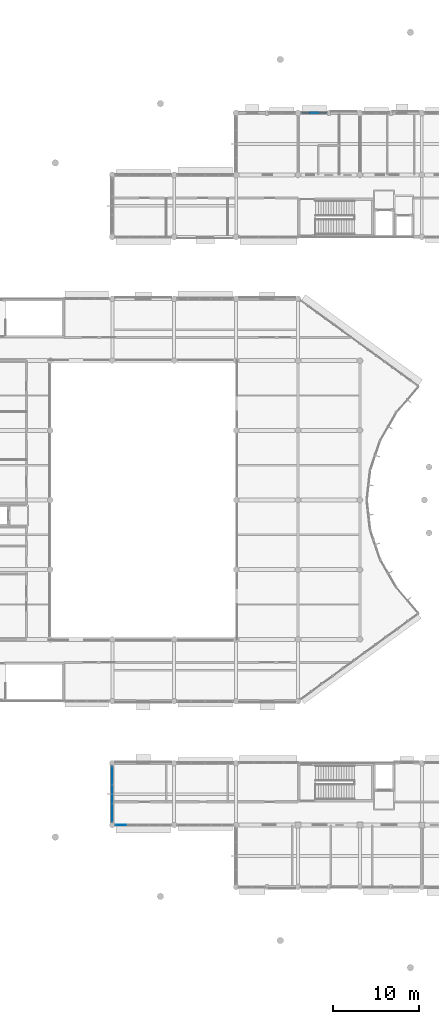
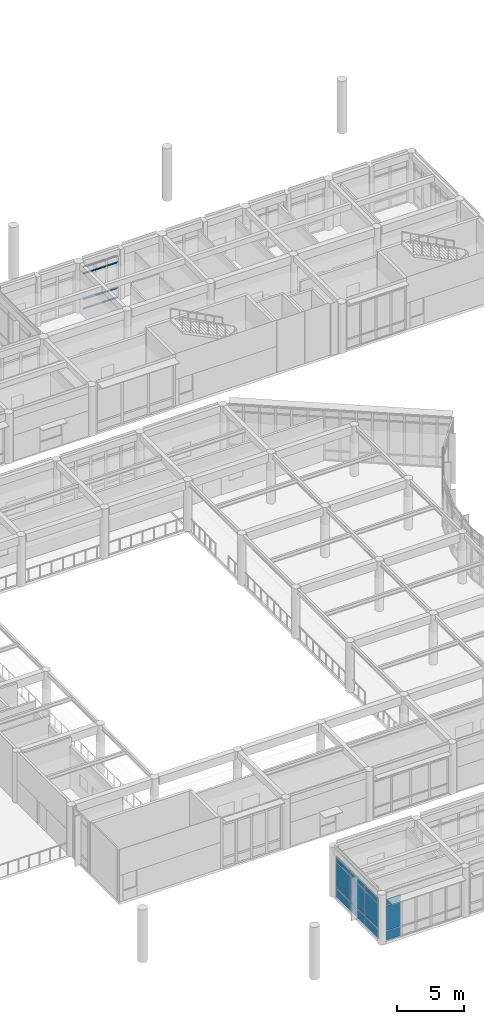
# One storey, part 33 of 92: 12 members, 12 plates, 3 elements without a shape of their own.
"""IFC4 building model written with IfcOpenShell, lengths in metres."""

from ifc_helpers import new_model, si_unit, direction, frame, origin, origin_2d, place, context, subcontext, project, spatial, rectangle, extrude, material, layer, layer_set, material_profile, profile_set, type_object, element, aggregate, save


model = new_model("IFC4")

# Units and contexts
model_context = context("Model", 3, precision=1e-05, world=origin(), true_north=direction((0.0, 1.0)))
body_context = subcontext(model_context, "Body", "Model", "MODEL_VIEW")
ifc_project = project(units=[si_unit("LENGTHUNIT", "METRE"), si_unit("AREAUNIT", "SQUARE_METRE"), si_unit("VOLUMEUNIT", "CUBIC_METRE"), si_unit("PLANEANGLEUNIT", "RADIAN"), si_unit("MASSUNIT", "GRAM", prefix="KILO")], contexts=[model_context])

# Site, building, storey
site_placement = place(None, origin())
site = spatial("IfcSite", under=ifc_project, at=site_placement, CompositionType="ELEMENT")
building_placement = place(site_placement, origin())
building = spatial("IfcBuilding", under=site, at=building_placement, Name="Namkhue Oval Health Centre", CompositionType="ELEMENT")
storey_placement = place(building_placement, frame((0.0, 0.0, 4.800048828125)))
storey = spatial("IfcBuildingStorey", under=building, at=storey_placement, Name="L01", CompositionType="ELEMENT", Elevation=4.800048828125)

# Curtain wall, members
ifc_material_1 = material(Name="Anodised aluminium EN AW-6063 T6", Category="aluminium")
ifc_layer_1 = layer(ifc_material_1, 0.159912109375)
ifc_layer_set_1 = layer_set([ifc_layer_1], Name="Anodised aluminium EN AW-6063 T6")
curtain_wall_type_1 = type_object("IfcCurtainWallType", Name="UNITISED CURTAIN WALL M1200", PredefinedType="NOTDEFINED", material=ifc_layer_set_1)
curtain_wall_1_placement = place(storey_placement, origin())
curtain_wall_1 = element("IfcCurtainWall", 1, at=curtain_wall_1_placement, inside=storey, type_object=curtain_wall_type_1, Name="Volume V2 L01 Unitised Curtain Wall 55", PredefinedType="NOTDEFINED")
ifc_material_profile = material_profile(ifc_material_1, rectangle(XDim=0.06494140625, YDim=0.1201171875, at=origin_2d()), Name="ALU 65x120")
ifc_profile_set = profile_set([ifc_material_profile], Name="Anodised aluminium EN AW-6063 T6")
member_type = type_object("IfcMemberType", Name="CURTAIN WALL TRANSOM 65X120", PredefinedType="USERDEFINED", material=ifc_profile_set)
member_1_placement = place(storey_placement, frame((60.948974609375, 104.39990234375, 0.032470703125), z_axis=(-1.0, 0.0, 0.0), x_axis=(0.0, -1.0, 0.0)))
member_1 = element("IfcMember", 2, at=member_1_placement, type_object=member_type, Name="CW-01 transom 1.1", ObjectType="TRANSOM", PredefinedType="USERDEFINED", context=body_context, shape_type="SweptSolid", body=[
    extrude(rectangle(XDim=0.06494140625, YDim=0.1201171875, at=origin_2d()), origin(), (0.0, 0.0, 1.0), 0.92041015625),
])
member_2_placement = place(storey_placement, frame((60.948974609375, 104.39990234375, 0.89990234375), z_axis=(-1.0, 0.0, 0.0), x_axis=(0.0, -1.0, 0.0)))
member_2 = element("IfcMember", 3, at=member_2_placement, type_object=member_type, Name="CW-01 transom 1.2", ObjectType="TRANSOM", PredefinedType="USERDEFINED", context=body_context, shape_type="SweptSolid", body=[
    extrude(rectangle(XDim=0.06494140625, YDim=0.1201171875, at=origin_2d()), origin(), (0.0, 0.0, 1.0), 0.92041015625),
])
member_3_placement = place(storey_placement, frame((60.948974609375, 104.39990234375, 3.2548828125), z_axis=(-1.0, 0.0, 0.0), x_axis=(0.0, -1.0, 0.0)))
member_3 = element("IfcMember", 4, at=member_3_placement, type_object=member_type, Name="CW-01 transom 1.3", ObjectType="TRANSOM", PredefinedType="USERDEFINED", context=body_context, shape_type="SweptSolid", body=[
    extrude(rectangle(XDim=0.06494140625, YDim=0.1201171875, at=origin_2d()), origin(), (0.0, 0.0, 1.0), 0.92041015625),
])
member_4_placement = place(storey_placement, frame((60.948974609375, 104.39990234375, 3.87255859375), z_axis=(-1.0, 0.0, 0.0), x_axis=(0.0, -1.0, 0.0)))
member_4 = element("IfcMember", 5, at=member_4_placement, type_object=member_type, Name="CW-01 transom 1.4", ObjectType="TRANSOM", PredefinedType="USERDEFINED", context=body_context, shape_type="SweptSolid", body=[
    extrude(rectangle(XDim=0.06494140625, YDim=0.1201171875, at=origin_2d()), origin(), (0.0, 0.0, 1.0), 0.92041015625),
])
member_5_placement = place(storey_placement, frame((59.96337890625, 104.39990234375, 0.032470703125), z_axis=(-1.0, 0.0, 0.0), x_axis=(0.0, -1.0, 0.0)))
member_5 = element("IfcMember", 6, at=member_5_placement, type_object=member_type, Name="CW-01 transom 2.1", ObjectType="TRANSOM", PredefinedType="USERDEFINED", context=body_context, shape_type="SweptSolid", body=[
    extrude(rectangle(XDim=0.06494140625, YDim=0.1201171875, at=origin_2d()), origin(), (0.0, 0.0, 1.0), 0.952880859375),
])
member_6_placement = place(storey_placement, frame((59.96337890625, 104.39990234375, 0.89990234375), z_axis=(-1.0, 0.0, 0.0), x_axis=(0.0, -1.0, 0.0)))
member_6 = element("IfcMember", 7, at=member_6_placement, type_object=member_type, Name="CW-01 transom 2.2", ObjectType="TRANSOM", PredefinedType="USERDEFINED", context=body_context, shape_type="SweptSolid", body=[
    extrude(rectangle(XDim=0.06494140625, YDim=0.1201171875, at=origin_2d()), origin(), (0.0, 0.0, 1.0), 0.952880859375),
])
member_7_placement = place(storey_placement, frame((59.96337890625, 104.39990234375, 3.2548828125), z_axis=(-1.0, 0.0, 0.0), x_axis=(0.0, -1.0, 0.0)))
member_7 = element("IfcMember", 8, at=member_7_placement, type_object=member_type, Name="CW-01 transom 2.3", ObjectType="TRANSOM", PredefinedType="USERDEFINED", context=body_context, shape_type="SweptSolid", body=[
    extrude(rectangle(XDim=0.06494140625, YDim=0.1201171875, at=origin_2d()), origin(), (0.0, 0.0, 1.0), 0.952880859375),
])
member_8_placement = place(storey_placement, frame((59.96337890625, 104.39990234375, 3.87255859375), z_axis=(-1.0, 0.0, 0.0), x_axis=(0.0, -1.0, 0.0)))
member_8 = element("IfcMember", 9, at=member_8_placement, type_object=member_type, Name="CW-01 transom 2.4", ObjectType="TRANSOM", PredefinedType="USERDEFINED", context=body_context, shape_type="SweptSolid", body=[
    extrude(rectangle(XDim=0.06494140625, YDim=0.1201171875, at=origin_2d()), origin(), (0.0, 0.0, 1.0), 0.952880859375),
])
member_9_placement = place(storey_placement, frame((58.945556640625, 104.39990234375, 0.032470703125), z_axis=(-1.0, 0.0, 0.0), x_axis=(0.0, -1.0, 0.0)))
member_9 = element("IfcMember", 10, at=member_9_placement, type_object=member_type, Name="CW-01 transom 3.1", ObjectType="TRANSOM", PredefinedType="USERDEFINED", context=body_context, shape_type="SweptSolid", body=[
    extrude(rectangle(XDim=0.06494140625, YDim=0.1201171875, at=origin_2d()), origin(), (0.0, 0.0, 1.0), 0.920654296875),
])
member_10_placement = place(storey_placement, frame((58.945556640625, 104.39990234375, 0.89990234375), z_axis=(-1.0, 0.0, 0.0), x_axis=(0.0, -1.0, 0.0)))
member_10 = element("IfcMember", 11, at=member_10_placement, type_object=member_type, Name="CW-01 transom 3.2", ObjectType="TRANSOM", PredefinedType="USERDEFINED", context=body_context, shape_type="SweptSolid", body=[
    extrude(rectangle(XDim=0.06494140625, YDim=0.1201171875, at=origin_2d()), origin(), (0.0, 0.0, 1.0), 0.920654296875),
])
member_11_placement = place(storey_placement, frame((58.945556640625, 104.39990234375, 3.2548828125), z_axis=(-1.0, 0.0, 0.0), x_axis=(0.0, -1.0, 0.0)))
member_11 = element("IfcMember", 12, at=member_11_placement, type_object=member_type, Name="CW-01 transom 3.3", ObjectType="TRANSOM", PredefinedType="USERDEFINED", context=body_context, shape_type="SweptSolid", body=[
    extrude(rectangle(XDim=0.06494140625, YDim=0.1201171875, at=origin_2d()), origin(), (0.0, 0.0, 1.0), 0.920654296875),
])
member_12_placement = place(storey_placement, frame((58.945556640625, 104.39990234375, 3.87255859375), z_axis=(-1.0, 0.0, 0.0), x_axis=(0.0, -1.0, 0.0)))
member_12 = element("IfcMember", 13, at=member_12_placement, type_object=member_type, Name="CW-01 transom 3.4", ObjectType="TRANSOM", PredefinedType="USERDEFINED", context=body_context, shape_type="SweptSolid", body=[
    extrude(rectangle(XDim=0.06494140625, YDim=0.1201171875, at=origin_2d()), origin(), (0.0, 0.0, 1.0), 0.920654296875),
])
aggregate(curtain_wall_1, [member_1, member_2, member_3, member_4, member_5, member_6, member_7, member_8, member_9, member_10, member_11, member_12])

# Curtain wall, plates
curtain_wall_2_placement = place(storey_placement, origin())
curtain_wall_2 = element("IfcCurtainWall", 14, at=curtain_wall_2_placement, inside=storey, type_object=curtain_wall_type_1, Name="Volume V4 L01 Unitised Curtain Wall 157", PredefinedType="NOTDEFINED")
ifc_material_2 = material(Name="Thermally broken low-E laminated double glazing", Category="glass")
ifc_layer_2 = layer(ifc_material_2, 0.02587890625)
ifc_layer_set_2 = layer_set([ifc_layer_2], Name="Thermally broken low-E laminated double glazing")
plate_type_1 = type_object("IfcPlateType", Name="CURTAIN WALL GLAZED PANEL 26", PredefinedType="CURTAIN_PANEL", material=ifc_layer_set_2)
plate_1_placement = place(storey_placement, frame((37.004150390625, 21.60009765625, 0.06494140625), z_axis=(0.0, 0.0, 1.0), x_axis=(1.0, 0.0, 0.0)))
plate_1 = element("IfcPlate", 15, at=plate_1_placement, type_object=plate_type_1, Name="CW-01 panel 1.1", PredefinedType="CURTAIN_PANEL", context=body_context, shape_type="SweptSolid", body=[
    extrude(rectangle(XDim=1.20849609375, YDim=0.02587890625, at=origin_2d()), origin(), (0.0, 0.0, 1.0), 0.802490234375),
])
plate_2_placement = place(storey_placement, frame((37.004150390625, 21.60009765625, 0.9326171875), z_axis=(0.0, 0.0, 1.0), x_axis=(1.0, 0.0, 0.0)))
plate_2 = element("IfcPlate", 16, at=plate_2_placement, type_object=plate_type_1, Name="CW-01 panel 1.2", PredefinedType="CURTAIN_PANEL", context=body_context, shape_type="SweptSolid", body=[
    extrude(rectangle(XDim=1.20849609375, YDim=0.02587890625, at=origin_2d()), origin(), (0.0, 0.0, 1.0), 2.282958984375),
])
plate_3_placement = place(storey_placement, frame((37.004150390625, 21.60009765625, 3.2802734375), z_axis=(0.0, 0.0, 1.0), x_axis=(1.0, 0.0, 0.0)))
plate_3 = element("IfcPlate", 17, at=plate_3_placement, type_object=plate_type_1, Name="CW-01 panel 1.3", PredefinedType="CURTAIN_PANEL", context=body_context, shape_type="SweptSolid", body=[
    extrude(rectangle(XDim=1.20849609375, YDim=0.02587890625, at=origin_2d()), origin(), (0.0, 0.0, 1.0), 0.552490234375),
])
aggregate(curtain_wall_2, [plate_1, plate_2, plate_3])

ifc_layer_3 = layer(ifc_material_1, 0.159912109375)
ifc_layer_set_3 = layer_set([ifc_layer_3], Name="Anodised aluminium EN AW-6063 T6")
curtain_wall_type_2 = type_object("IfcCurtainWallType", Name="UNITISED CURTAIN WALL M2000", PredefinedType="NOTDEFINED", material=ifc_layer_set_3)
curtain_wall_3_placement = place(storey_placement, origin())
curtain_wall_3 = element("IfcCurtainWall", 18, at=curtain_wall_3_placement, inside=storey, type_object=curtain_wall_type_2, Name="Volume V4 L01 Unitised Curtain Wall 156", PredefinedType="NOTDEFINED")
ifc_material_3 = material(Name="Insulated anodised aluminium spandrel panel", Category="aluminium")
ifc_layer_4 = layer(ifc_material_3, 0.035888671875)
ifc_layer_set_4 = layer_set([ifc_layer_4], Name="Insulated anodised aluminium spandrel panel")
plate_type_2 = type_object("IfcPlateType", Name="CURTAIN WALL SPANDREL PANEL 36", PredefinedType="CURTAIN_PANEL", material=ifc_layer_set_4)
plate_4_placement = place(storey_placement, frame((36.0, 27.35791015625, 0.074951171875), z_axis=(0.0, 0.0, 1.0), x_axis=(0.0, -1.0, 0.0)))
plate_4 = element("IfcPlate", 19, at=plate_4_placement, type_object=plate_type_2, Name="CW-06 panel 1.1", PredefinedType="CURTAIN_PANEL", context=body_context, shape_type="SweptSolid", body=[
    extrude(rectangle(XDim=2.064208984375, YDim=0.035888671875, at=origin_2d()), origin(), (0.0, 0.0, 1.0), 0.78759765625),
])
plate_5_placement = place(storey_placement, frame((36.0, 27.35791015625, 0.9375), z_axis=(0.0, 0.0, 1.0), x_axis=(0.0, -1.0, 0.0)))
plate_5 = element("IfcPlate", 20, at=plate_5_placement, type_object=plate_type_2, Name="CW-06 panel 1.2", PredefinedType="CURTAIN_PANEL", context=body_context, shape_type="SweptSolid", body=[
    extrude(rectangle(XDim=2.064208984375, YDim=0.035888671875, at=origin_2d()), origin(), (0.0, 0.0, 1.0), 2.27294921875),
])
plate_6_placement = place(storey_placement, frame((36.0, 27.35791015625, 3.285400390625), z_axis=(0.0, 0.0, 1.0), x_axis=(0.0, -1.0, 0.0)))
plate_6 = element("IfcPlate", 21, at=plate_6_placement, type_object=plate_type_2, Name="CW-06 panel 1.3", PredefinedType="CURTAIN_PANEL", context=body_context, shape_type="SweptSolid", body=[
    extrude(rectangle(XDim=2.064208984375, YDim=0.035888671875, at=origin_2d()), origin(), (0.0, 0.0, 1.0), 0.53759765625),
])
plate_7_placement = place(storey_placement, frame((36.0, 25.199951171875, 0.074951171875), z_axis=(0.0, 0.0, 1.0), x_axis=(0.0, -1.0, 0.0)))
plate_7 = element("IfcPlate", 22, at=plate_7_placement, type_object=plate_type_2, Name="CW-06 panel 2.1", PredefinedType="CURTAIN_PANEL", context=body_context, shape_type="SweptSolid", body=[
    extrude(rectangle(XDim=2.1015625, YDim=0.035888671875, at=origin_2d()), origin(), (0.0, 0.0, 1.0), 0.78759765625),
])
plate_8_placement = place(storey_placement, frame((36.0, 25.199951171875, 0.9375), z_axis=(0.0, 0.0, 1.0), x_axis=(0.0, -1.0, 0.0)))
plate_8 = element("IfcPlate", 23, at=plate_8_placement, type_object=plate_type_2, Name="CW-06 panel 2.2", PredefinedType="CURTAIN_PANEL", context=body_context, shape_type="SweptSolid", body=[
    extrude(rectangle(XDim=2.1015625, YDim=0.035888671875, at=origin_2d()), origin(), (0.0, 0.0, 1.0), 2.27294921875),
])
plate_9_placement = place(storey_placement, frame((36.0, 25.199951171875, 3.285400390625), z_axis=(0.0, 0.0, 1.0), x_axis=(0.0, -1.0, 0.0)))
plate_9 = element("IfcPlate", 24, at=plate_9_placement, type_object=plate_type_2, Name="CW-06 panel 2.3", PredefinedType="CURTAIN_PANEL", context=body_context, shape_type="SweptSolid", body=[
    extrude(rectangle(XDim=2.1015625, YDim=0.035888671875, at=origin_2d()), origin(), (0.0, 0.0, 1.0), 0.53759765625),
])
plate_10_placement = place(storey_placement, frame((36.0, 23.0419921875, 0.074951171875), z_axis=(0.0, 0.0, 1.0), x_axis=(0.0, -1.0, 0.0)))
plate_10 = element("IfcPlate", 25, at=plate_10_placement, type_object=plate_type_2, Name="CW-06 panel 3.1", PredefinedType="CURTAIN_PANEL", context=body_context, shape_type="SweptSolid", body=[
    extrude(rectangle(XDim=2.064208984375, YDim=0.035888671875, at=origin_2d()), origin(), (0.0, 0.0, 1.0), 0.78759765625),
])
plate_11_placement = place(storey_placement, frame((36.0, 23.0419921875, 0.9375), z_axis=(0.0, 0.0, 1.0), x_axis=(0.0, -1.0, 0.0)))
plate_11 = element("IfcPlate", 26, at=plate_11_placement, type_object=plate_type_2, Name="CW-06 panel 3.2", PredefinedType="CURTAIN_PANEL", context=body_context, shape_type="SweptSolid", body=[
    extrude(rectangle(XDim=2.064208984375, YDim=0.035888671875, at=origin_2d()), origin(), (0.0, 0.0, 1.0), 2.27294921875),
])
plate_12_placement = place(storey_placement, frame((36.0, 23.0419921875, 3.285400390625), z_axis=(0.0, 0.0, 1.0), x_axis=(0.0, -1.0, 0.0)))
plate_12 = element("IfcPlate", 27, at=plate_12_placement, type_object=plate_type_2, Name="CW-06 panel 3.3", PredefinedType="CURTAIN_PANEL", context=body_context, shape_type="SweptSolid", body=[
    extrude(rectangle(XDim=2.064208984375, YDim=0.035888671875, at=origin_2d()), origin(), (0.0, 0.0, 1.0), 0.53759765625),
])
aggregate(curtain_wall_3, [plate_4, plate_5, plate_6, plate_7, plate_8, plate_9, plate_10, plate_11, plate_12])

save(model, "model.ifc")
